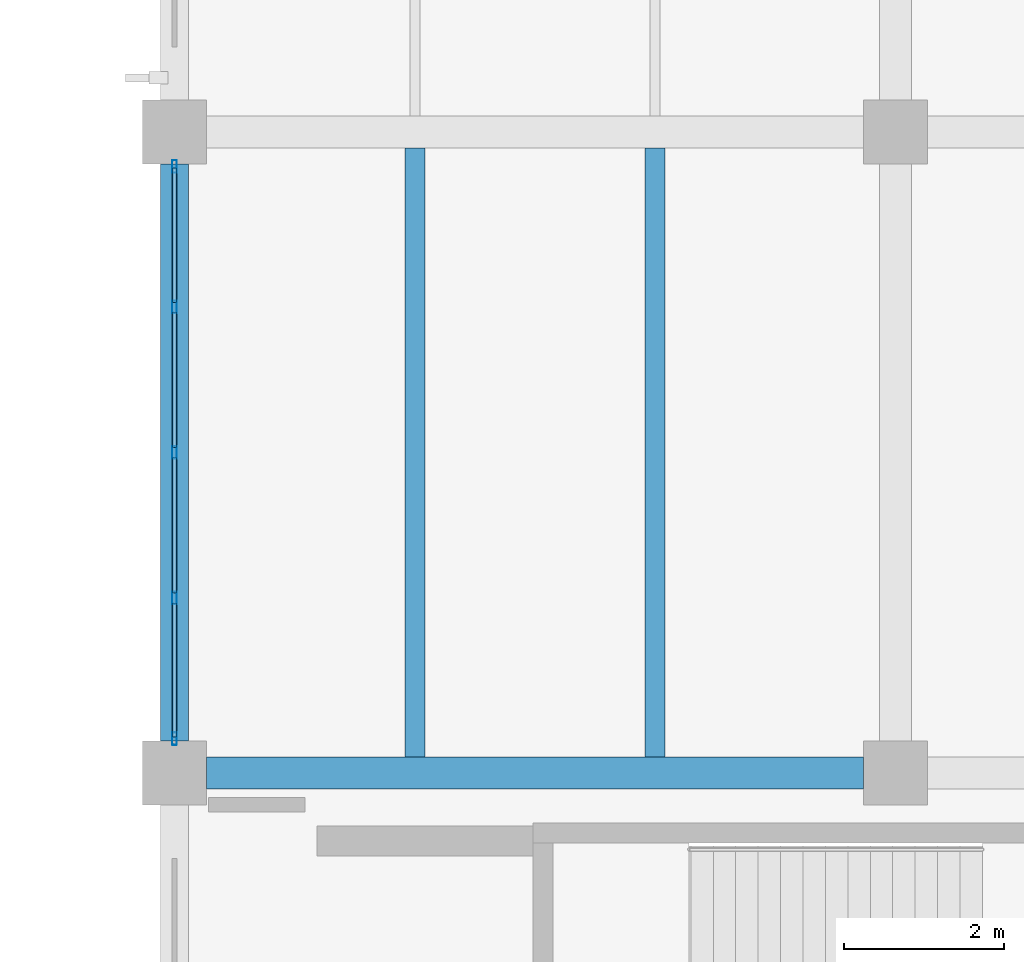
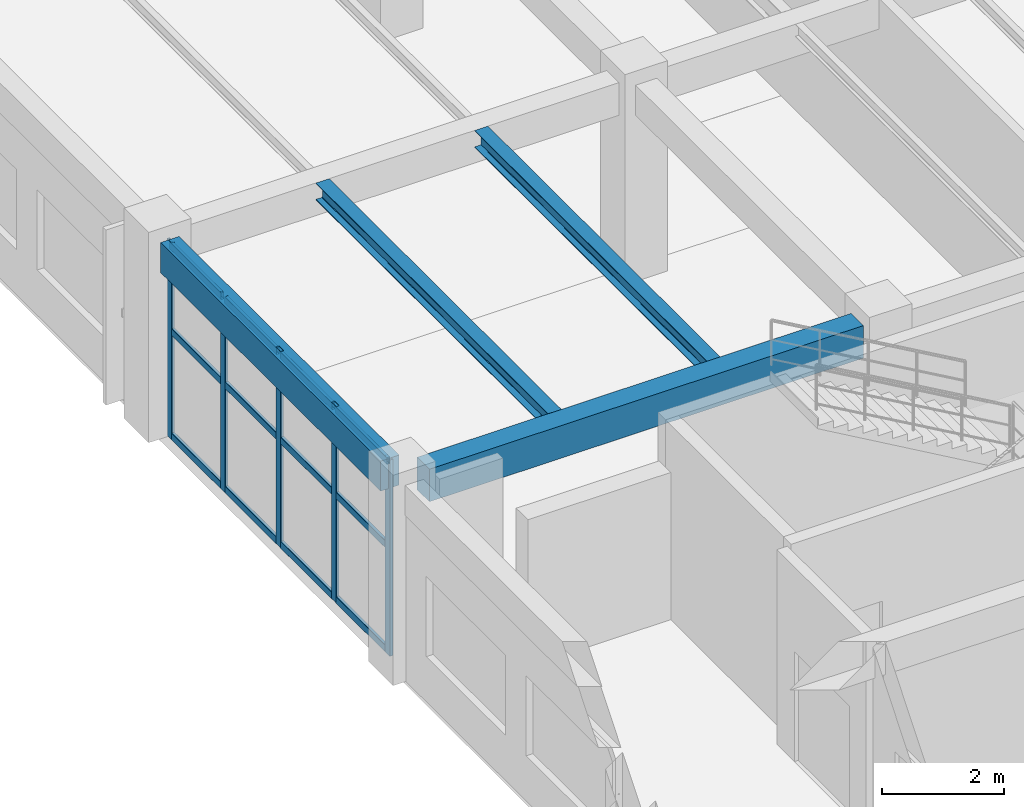
# One storey, part 100 of 148: 17 members, 4 beams, 1 element without a shape of its own.
"""IFC4 building model written with IfcOpenShell, lengths in metres."""

from ifc_helpers import new_model, si_unit, derived_unit, direction, frame, origin, origin_2d, place, context, subcontext, project, spatial, rectangle, hollow_rectangle, i_section, extrude, material, material_profile, profile_set, type_object, element, aggregate, save


model = new_model("IFC4")

# Units and contexts
model_context = context("Model", 3, precision=1e-05, world=origin(), true_north=direction((0.0, 1.0)))
body_context = subcontext(model_context, "Body", "Model", "MODEL_VIEW")
ifc_project = project(units=[si_unit("LENGTHUNIT", "METRE"), si_unit("AREAUNIT", "SQUARE_METRE"), si_unit("VOLUMEUNIT", "CUBIC_METRE"), si_unit("PLANEANGLEUNIT", "RADIAN"), si_unit("MASSUNIT", "GRAM", prefix="KILO"), derived_unit("THERMALTRANSMITTANCEUNIT", [(si_unit("MASSUNIT", "GRAM", prefix="KILO"), 1), (si_unit("TIMEUNIT", "SECOND"), -3), (si_unit("THERMODYNAMICTEMPERATUREUNIT", "KELVIN"), -1)])], contexts=[model_context])

# Site, building, storey
site_placement = place(None, origin())
site = spatial("IfcSite", under=ifc_project, at=site_placement, CompositionType="ELEMENT")
building_placement = place(site_placement, origin())
building = spatial("IfcBuilding", under=site, at=building_placement, Name="Zhenchuan Archway Interchange", CompositionType="ELEMENT")
storey_placement = place(building_placement, frame((0.0, 0.0, 10.199951171875)))
storey = spatial("IfcBuildingStorey", under=building, at=storey_placement, Name="L02", CompositionType="ELEMENT", Elevation=10.199951171875)

# Beam
ifc_material_1 = material(Name="Concrete C40", Category="concrete")
ifc_material_profile_1 = material_profile(ifc_material_1, rectangle(XDim=0.39990234375, YDim=0.64990234375, at=origin_2d()), Name="RC 400x650")
ifc_profile_set_1 = profile_set([ifc_material_profile_1], Name="Concrete C40")
beam_type_1 = type_object("IfcBeamType", Name="BM_RC_400x650", PredefinedType="BEAM", material=ifc_profile_set_1)
beam_1_placement = place(storey_placement, frame((144.39990234375, 64.0, 3.594970703125), z_axis=(1.0, 0.0, 0.0), x_axis=(0.0, 1.0, 0.0)))
element("IfcBeam", 1, at=beam_1_placement, inside=storey, type_object=beam_type_1, Name="Beam J:17-18 (L02)", PredefinedType="BEAM", context=body_context, shape_type="SweptSolid", body=[
    extrude(rectangle(XDim=0.39990234375, YDim=0.64990234375, at=origin_2d()), origin(), (0.0, 0.0, 1.0), 8.2001953125),
])

# Curtain wall, members
ifc_material_2 = material(Name="Anodised Aluminium", Category="aluminium")
curtain_wall_type = type_object("IfcCurtainWallType", Name="CW_UNIT_2", PredefinedType="NOTDEFINED", material=ifc_material_2)
curtain_wall_placement = place(storey_placement, origin())
curtain_wall = element("IfcCurtainWall", 2, at=curtain_wall_placement, inside=storey, type_object=curtain_wall_type, Name="Unitised curtain wall CW:L02:165", PredefinedType="NOTDEFINED")
ifc_material_profile_2 = material_profile(ifc_material_2, hollow_rectangle(XDim=0.06005859375, YDim=0.159912109375, WallThickness=0.00390625, InnerFilletRadius=0.00390625, OuterFilletRadius=0.008056640625, at=origin_2d()), Name="ALU 160x60x4")
ifc_profile_set_2 = profile_set([ifc_material_profile_2], Name="Anodised Aluminium")
member_type_1 = type_object("IfcMemberType", Name="CW_MUL_150", PredefinedType="MULLION", material=ifc_profile_set_2)
member_1_placement = place(storey_placement, frame((144.0, 64.427978515625, 0.0), z_axis=(0.0, 0.0, 1.0), x_axis=(1.0, 0.0, 0.0)))
member_1 = element("IfcMember", 3, at=member_1_placement, type_object=member_type_1, Name="CW:L02:165 mullion 0", PredefinedType="MULLION", context=body_context, shape_type="SweptSolid", body=[
    extrude(hollow_rectangle(XDim=0.06005859375, YDim=0.159912109375, WallThickness=0.00390625, InnerFilletRadius=0.00390625, OuterFilletRadius=0.008056640625, at=origin_2d()), origin(), (0.0, 0.0, 1.0), 3.920166015625),
])
member_2_placement = place(storey_placement, frame((144.0, 66.18408203125, 0.0), z_axis=(0.0, 0.0, 1.0), x_axis=(1.0, 0.0, 0.0)))
member_2 = element("IfcMember", 4, at=member_2_placement, type_object=member_type_1, Name="CW:L02:165 mullion 1", PredefinedType="MULLION", context=body_context, shape_type="SweptSolid", body=[
    extrude(hollow_rectangle(XDim=0.06005859375, YDim=0.159912109375, WallThickness=0.00390625, InnerFilletRadius=0.00390625, OuterFilletRadius=0.008056640625, at=origin_2d()), origin(), (0.0, 0.0, 1.0), 3.920166015625),
])
member_3_placement = place(storey_placement, frame((144.0, 68.0, 0.0), z_axis=(0.0, 0.0, 1.0), x_axis=(1.0, 0.0, 0.0)))
member_3 = element("IfcMember", 5, at=member_3_placement, type_object=member_type_1, Name="CW:L02:165 mullion 2", PredefinedType="MULLION", context=body_context, shape_type="SweptSolid", body=[
    extrude(hollow_rectangle(XDim=0.06005859375, YDim=0.159912109375, WallThickness=0.00390625, InnerFilletRadius=0.00390625, OuterFilletRadius=0.008056640625, at=origin_2d()), origin(), (0.0, 0.0, 1.0), 3.920166015625),
])
member_4_placement = place(storey_placement, frame((144.0, 69.81591796875, 0.0), z_axis=(0.0, 0.0, 1.0), x_axis=(1.0, 0.0, 0.0)))
member_4 = element("IfcMember", 6, at=member_4_placement, type_object=member_type_1, Name="CW:L02:165 mullion 3", PredefinedType="MULLION", context=body_context, shape_type="SweptSolid", body=[
    extrude(hollow_rectangle(XDim=0.06005859375, YDim=0.159912109375, WallThickness=0.00390625, InnerFilletRadius=0.00390625, OuterFilletRadius=0.008056640625, at=origin_2d()), origin(), (0.0, 0.0, 1.0), 3.920166015625),
])
member_5_placement = place(storey_placement, frame((144.0, 71.572021484375, 0.0), z_axis=(0.0, 0.0, 1.0), x_axis=(1.0, 0.0, 0.0)))
member_5 = element("IfcMember", 7, at=member_5_placement, type_object=member_type_1, Name="CW:L02:165 mullion 4", PredefinedType="MULLION", context=body_context, shape_type="SweptSolid", body=[
    extrude(hollow_rectangle(XDim=0.06005859375, YDim=0.159912109375, WallThickness=0.00390625, InnerFilletRadius=0.00390625, OuterFilletRadius=0.008056640625, at=origin_2d()), origin(), (0.0, 0.0, 1.0), 3.920166015625),
])
ifc_material_profile_3 = material_profile(ifc_material_2, hollow_rectangle(XDim=0.06005859375, YDim=0.139892578125, WallThickness=0.00341796875, InnerFilletRadius=0.00341796875, OuterFilletRadius=0.007080078125, at=origin_2d()), Name="ALU 140x60x3.5")
ifc_profile_set_3 = profile_set([ifc_material_profile_3], Name="Anodised Aluminium")
member_type_2 = type_object("IfcMemberType", Name="CW_TRN_140", PredefinedType="USERDEFINED", material=ifc_profile_set_3)
member_6_placement = place(storey_placement, frame((144.0, 64.447998046875, 0.06005859375), z_axis=(0.0, 1.0, 0.0), x_axis=(-1.0, 0.0, 0.0)))
member_6 = element("IfcMember", 8, at=member_6_placement, type_object=member_type_2, Name="CW:L02:165 transom 0-1", ObjectType="TRANSOM", PredefinedType="USERDEFINED", context=body_context, shape_type="SweptSolid", body=[
    extrude(hollow_rectangle(XDim=0.06005859375, YDim=0.139892578125, WallThickness=0.00341796875, InnerFilletRadius=0.00341796875, OuterFilletRadius=0.007080078125, at=origin_2d()), origin(), (0.0, 0.0, 1.0), 1.676025390625),
])
member_7_placement = place(storey_placement, frame((144.0, 64.447998046875, 2.14501953125), z_axis=(0.0, 1.0, 0.0), x_axis=(-1.0, 0.0, 0.0)))
member_7 = element("IfcMember", 9, at=member_7_placement, type_object=member_type_2, Name="CW:L02:165 transom 0-2", ObjectType="TRANSOM", PredefinedType="USERDEFINED", context=body_context, shape_type="SweptSolid", body=[
    extrude(hollow_rectangle(XDim=0.06005859375, YDim=0.139892578125, WallThickness=0.00341796875, InnerFilletRadius=0.00341796875, OuterFilletRadius=0.007080078125, at=origin_2d()), origin(), (0.0, 0.0, 1.0), 1.676025390625),
])
member_8_placement = place(storey_placement, frame((144.0, 64.447998046875, 3.840087890625), z_axis=(0.0, 1.0, 0.0), x_axis=(-1.0, 0.0, 0.0)))
member_8 = element("IfcMember", 10, at=member_8_placement, type_object=member_type_2, Name="CW:L02:165 transom 0-3", ObjectType="TRANSOM", PredefinedType="USERDEFINED", context=body_context, shape_type="SweptSolid", body=[
    extrude(hollow_rectangle(XDim=0.06005859375, YDim=0.139892578125, WallThickness=0.00341796875, InnerFilletRadius=0.00341796875, OuterFilletRadius=0.007080078125, at=origin_2d()), origin(), (0.0, 0.0, 1.0), 1.676025390625),
])
member_9_placement = place(storey_placement, frame((144.0, 66.243896484375, 0.06005859375), z_axis=(0.0, 1.0, 0.0), x_axis=(-1.0, 0.0, 0.0)))
member_9 = element("IfcMember", 11, at=member_9_placement, type_object=member_type_2, Name="CW:L02:165 transom 1-1", ObjectType="TRANSOM", PredefinedType="USERDEFINED", context=body_context, shape_type="SweptSolid", body=[
    extrude(hollow_rectangle(XDim=0.06005859375, YDim=0.139892578125, WallThickness=0.00341796875, InnerFilletRadius=0.00341796875, OuterFilletRadius=0.007080078125, at=origin_2d()), origin(), (0.0, 0.0, 1.0), 1.696044921875),
])
member_10_placement = place(storey_placement, frame((144.0, 66.243896484375, 2.14501953125), z_axis=(0.0, 1.0, 0.0), x_axis=(-1.0, 0.0, 0.0)))
member_10 = element("IfcMember", 12, at=member_10_placement, type_object=member_type_2, Name="CW:L02:165 transom 1-2", ObjectType="TRANSOM", PredefinedType="USERDEFINED", context=body_context, shape_type="SweptSolid", body=[
    extrude(hollow_rectangle(XDim=0.06005859375, YDim=0.139892578125, WallThickness=0.00341796875, InnerFilletRadius=0.00341796875, OuterFilletRadius=0.007080078125, at=origin_2d()), origin(), (0.0, 0.0, 1.0), 1.696044921875),
])
member_11_placement = place(storey_placement, frame((144.0, 66.243896484375, 3.840087890625), z_axis=(0.0, 1.0, 0.0), x_axis=(-1.0, 0.0, 0.0)))
member_11 = element("IfcMember", 13, at=member_11_placement, type_object=member_type_2, Name="CW:L02:165 transom 1-3", ObjectType="TRANSOM", PredefinedType="USERDEFINED", context=body_context, shape_type="SweptSolid", body=[
    extrude(hollow_rectangle(XDim=0.06005859375, YDim=0.139892578125, WallThickness=0.00341796875, InnerFilletRadius=0.00341796875, OuterFilletRadius=0.007080078125, at=origin_2d()), origin(), (0.0, 0.0, 1.0), 1.696044921875),
])
member_12_placement = place(storey_placement, frame((144.0, 68.06005859375, 0.06005859375), z_axis=(0.0, 1.0, 0.0), x_axis=(-1.0, 0.0, 0.0)))
member_12 = element("IfcMember", 14, at=member_12_placement, type_object=member_type_2, Name="CW:L02:165 transom 2-1", ObjectType="TRANSOM", PredefinedType="USERDEFINED", context=body_context, shape_type="SweptSolid", body=[
    extrude(hollow_rectangle(XDim=0.06005859375, YDim=0.139892578125, WallThickness=0.00341796875, InnerFilletRadius=0.00341796875, OuterFilletRadius=0.007080078125, at=origin_2d()), origin(), (0.0, 0.0, 1.0), 1.696044921875),
])
member_13_placement = place(storey_placement, frame((144.0, 68.06005859375, 2.14501953125), z_axis=(0.0, 1.0, 0.0), x_axis=(-1.0, 0.0, 0.0)))
member_13 = element("IfcMember", 15, at=member_13_placement, type_object=member_type_2, Name="CW:L02:165 transom 2-2", ObjectType="TRANSOM", PredefinedType="USERDEFINED", context=body_context, shape_type="SweptSolid", body=[
    extrude(hollow_rectangle(XDim=0.06005859375, YDim=0.139892578125, WallThickness=0.00341796875, InnerFilletRadius=0.00341796875, OuterFilletRadius=0.007080078125, at=origin_2d()), origin(), (0.0, 0.0, 1.0), 1.696044921875),
])
member_14_placement = place(storey_placement, frame((144.0, 68.06005859375, 3.840087890625), z_axis=(0.0, 1.0, 0.0), x_axis=(-1.0, 0.0, 0.0)))
member_14 = element("IfcMember", 16, at=member_14_placement, type_object=member_type_2, Name="CW:L02:165 transom 2-3", ObjectType="TRANSOM", PredefinedType="USERDEFINED", context=body_context, shape_type="SweptSolid", body=[
    extrude(hollow_rectangle(XDim=0.06005859375, YDim=0.139892578125, WallThickness=0.00341796875, InnerFilletRadius=0.00341796875, OuterFilletRadius=0.007080078125, at=origin_2d()), origin(), (0.0, 0.0, 1.0), 1.696044921875),
])
member_15_placement = place(storey_placement, frame((144.0, 69.8759765625, 0.06005859375), z_axis=(0.0, 1.0, 0.0), x_axis=(-1.0, 0.0, 0.0)))
member_15 = element("IfcMember", 17, at=member_15_placement, type_object=member_type_2, Name="CW:L02:165 transom 3-1", ObjectType="TRANSOM", PredefinedType="USERDEFINED", context=body_context, shape_type="SweptSolid", body=[
    extrude(hollow_rectangle(XDim=0.06005859375, YDim=0.139892578125, WallThickness=0.00341796875, InnerFilletRadius=0.00341796875, OuterFilletRadius=0.007080078125, at=origin_2d()), origin(), (0.0, 0.0, 1.0), 1.676025390625),
])
member_16_placement = place(storey_placement, frame((144.0, 69.8759765625, 2.14501953125), z_axis=(0.0, 1.0, 0.0), x_axis=(-1.0, 0.0, 0.0)))
member_16 = element("IfcMember", 18, at=member_16_placement, type_object=member_type_2, Name="CW:L02:165 transom 3-2", ObjectType="TRANSOM", PredefinedType="USERDEFINED", context=body_context, shape_type="SweptSolid", body=[
    extrude(hollow_rectangle(XDim=0.06005859375, YDim=0.139892578125, WallThickness=0.00341796875, InnerFilletRadius=0.00341796875, OuterFilletRadius=0.007080078125, at=origin_2d()), origin(), (0.0, 0.0, 1.0), 1.676025390625),
])
member_17_placement = place(storey_placement, frame((144.0, 69.8759765625, 3.840087890625), z_axis=(0.0, 1.0, 0.0), x_axis=(-1.0, 0.0, 0.0)))
member_17 = element("IfcMember", 19, at=member_17_placement, type_object=member_type_2, Name="CW:L02:165 transom 3-3", ObjectType="TRANSOM", PredefinedType="USERDEFINED", context=body_context, shape_type="SweptSolid", body=[
    extrude(hollow_rectangle(XDim=0.06005859375, YDim=0.139892578125, WallThickness=0.00341796875, InnerFilletRadius=0.00341796875, OuterFilletRadius=0.007080078125, at=origin_2d()), origin(), (0.0, 0.0, 1.0), 1.676025390625),
])
aggregate(curtain_wall, [member_1, member_2, member_3, member_4, member_5, member_6, member_7, member_8, member_9, member_10, member_11, member_12, member_13, member_14, member_15, member_16, member_17])

# Beams
ifc_material_3 = material(Name="Steel Q355", Category="steel")
ifc_material_profile_4 = material_profile(ifc_material_3, i_section(OverallWidth=0.25, OverallDepth=0.340087890625, WebThickness=0.009033203125, FlangeThickness=0.013916015625, FilletRadius=0.01806640625, at=origin_2d()), Name="HM 340x250")
ifc_profile_set_4 = profile_set([ifc_material_profile_4], Name="Steel Q355")
beam_type_2 = type_object("IfcBeamType", Name="JST_STL_HM340", PredefinedType="JOIST", material=ifc_profile_set_4)
for number, where, z_axis, x_axis, name in (
    (20, (147.0, 64.199951171875, 3.75), (0.0, 1.0, 0.0), (-1.0, 0.0, 0.0), "Secondary joist 17-18/J-K #1 (L02)"),
    (21, (150.0, 64.199951171875, 3.75), (0.0, 1.0, 0.0), (-1.0, 0.0, 0.0), "Secondary joist 17-18/J-K #2 (L02)"),
):
    element("IfcBeam", number, at=place(storey_placement, frame(where, z_axis=z_axis, x_axis=x_axis)), inside=storey, type_object=beam_type_2, Name=name, PredefinedType="JOIST", context=body_context, shape_type="SweptSolid", body=[
        extrude(i_section(OverallWidth=0.25, OverallDepth=0.340087890625, WebThickness=0.009033203125, FlangeThickness=0.013916015625, FilletRadius=0.01806640625, at=origin_2d()), origin(), (0.0, 0.0, 1.0), 7.60009765625),
    ])
ifc_material_profile_5 = material_profile(ifc_material_1, rectangle(XDim=0.35009765625, YDim=0.60009765625, at=origin_2d()), Name="RC 350x600")
ifc_profile_set_5 = profile_set([ifc_material_profile_5], Name="Concrete C40")
beam_type_3 = type_object("IfcBeamType", Name="SP_RC_350x600", PredefinedType="SPANDREL", material=ifc_profile_set_5)
beam_2_placement = place(storey_placement, frame((144.0, 64.39990234375, 3.6201171875), z_axis=(0.0, 1.0, 0.0), x_axis=(-1.0, 0.0, 0.0)))
element("IfcBeam", 22, at=beam_2_placement, inside=storey, type_object=beam_type_3, Name="Beam 17:J-K (L02)", PredefinedType="SPANDREL", context=body_context, shape_type="SweptSolid", body=[
    extrude(rectangle(XDim=0.35009765625, YDim=0.60009765625, at=origin_2d()), origin(), (0.0, 0.0, 1.0), 7.2001953125),
])

save(model, "model.ifc")
